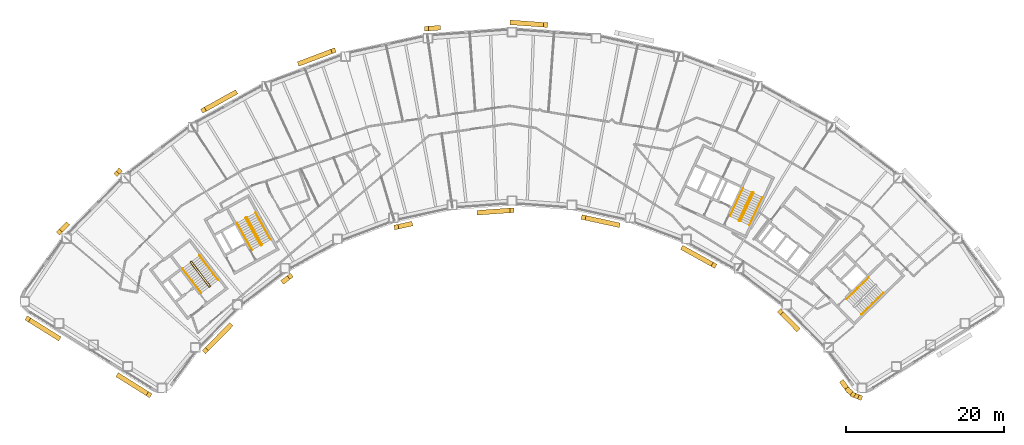
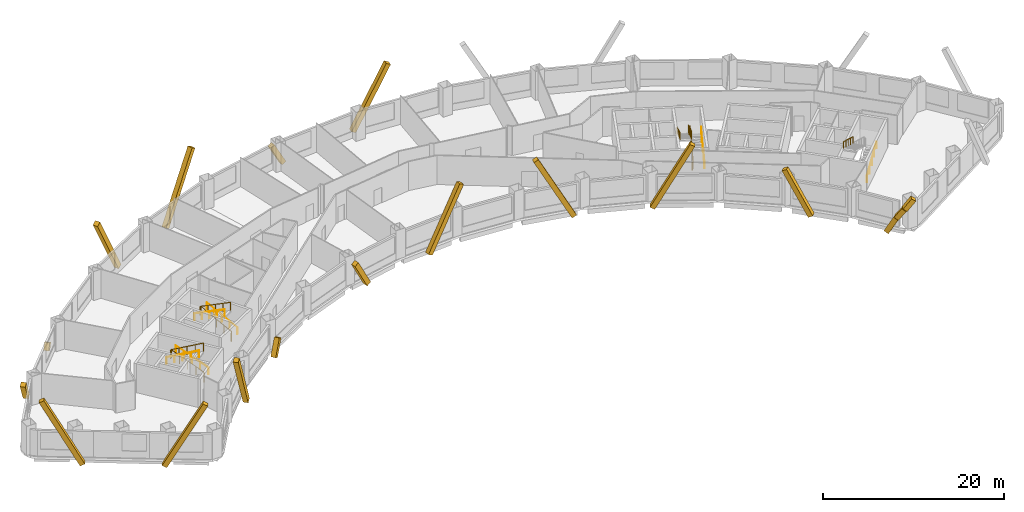
# One storey, part 11 of 12: 18 coverings, 11 railings.
"""IFC4 building model written with IfcOpenShell, lengths in metres."""

from ifc_helpers import new_model, si_unit, direction, frame, origin, origin_2d, place, context, subcontext, project, spatial, rectangle, circle, extrude, material, material_profile, profile_set, type_object, element, save


model = new_model("IFC4")

# Units and contexts
model_context = context("Model", 3, precision=1e-05, world=origin(), true_north=direction((0.0, 1.0)))
body_context = subcontext(model_context, "Body", "Model", "MODEL_VIEW")
ifc_project = project(units=[si_unit("LENGTHUNIT", "METRE"), si_unit("AREAUNIT", "SQUARE_METRE"), si_unit("VOLUMEUNIT", "CUBIC_METRE"), si_unit("PLANEANGLEUNIT", "RADIAN"), si_unit("MASSUNIT", "GRAM", prefix="KILO")], contexts=[model_context])

# Site, building, storey
site_placement = place(None, origin())
site = spatial("IfcSite", under=ifc_project, at=site_placement, CompositionType="ELEMENT")
building_placement = place(site_placement, origin())
building = spatial("IfcBuilding", under=site, at=building_placement, Name="Tuul Gate Civic Tower", CompositionType="ELEMENT")
storey_placement = place(building_placement, frame((0.0, 0.0, 73.800048828125)))
storey = spatial("IfcBuildingStorey", under=building, at=storey_placement, Name="Level 16", CompositionType="ELEMENT", Elevation=73.800048828125)

# Railings
ifc_material_1 = material(Name="Painted steel", Category="steel")
railing_type_1 = type_object("IfcRailingType", Name="Stair guard", PredefinedType="GUARDRAIL", material=ifc_material_1)
railing_1_placement = place(storey_placement, frame((-33.382080078125, -13.515380859375, 0.0)))
element("IfcRailing", 1, at=railing_1_placement, inside=storey, type_object=railing_type_1, Name="Level 16 ST-1 stair guard 1", PredefinedType="GUARDRAIL", context=body_context, shape_type="SweptSolid", body=[
    extrude(circle(Radius=0.02392578125, at=origin_2d()), frame((0.0, 0.0, 1.076171875), z_axis=(-0.795879841968, -0.605454603706, 0.0), x_axis=(0.605454603706, -0.795879841968, 0.0)), (0.0, 0.0, 1.0), 0.10009765625),
    extrude(circle(Radius=0.02392578125, at=origin_2d()), frame((-0.07958984375, -0.060546875, 1.076171875), z_axis=(0.408991890351, 0.599481263939, 0.688002796371), x_axis=(-0.826063974707, 0.563576356576, 0.0)), (0.0, 0.0, 1.0), 0.2177734375),
    extrude(circle(Radius=0.02392578125, at=origin_2d()), frame((0.009521484375, 0.070068359375, 1.22607421875), z_axis=(-0.541824460341, 0.711645023348, 0.447199748346), x_axis=(-0.795637165283, -0.60577347352, 0.0)), (0.0, 0.0, 1.0), 4.3603515625),
    extrude(circle(Radius=0.02392578125, at=origin_2d()), frame((-2.35302734375, 3.173095703125, 3.17578125), z_axis=(-0.990893089246, 0.134650977284, 0.0), x_axis=(-0.134650977284, -0.990893089246, 0.0)), (0.0, 0.0, 1.0), 0.07080078125),
    extrude(circle(Radius=0.02392578125, at=origin_2d()), frame((-2.423095703125, 3.1826171875, 3.17578125), z_axis=(-0.793802879778, -0.60817512943, 0.0), x_axis=(0.60817512943, -0.793802879778, 0.0)), (0.0, 0.0, 1.0), 0.099853515625),
    extrude(circle(Radius=0.02392578125, at=origin_2d()), frame((-2.50244140625, 3.121826171875, 3.17578125), z_axis=(-0.057370624079, -0.422188951554, 0.904690610473), x_axis=(0.990893089246, -0.134650977284, 0.0)), (0.0, 0.0, 1.0), 0.166015625),
    extrude(circle(Radius=0.02392578125, at=origin_2d()), frame((-2.511962890625, 3.0517578125, 3.326171875), z_axis=(0.541806494602, -0.71163897684, 0.447231136047), x_axis=(0.795644365679, 0.605764016233, 0.0)), (0.0, 0.0, 1.0), 4.360107421875),
    extrude(circle(Radius=0.02099609375, at=origin_2d()), origin(), (0.0, 0.0, 1.0), 1.052001953125),
    extrude(circle(Radius=0.02099609375, at=origin_2d()), frame((-0.07958984375, -0.060546875, 0.0)), (0.0, 0.0, 1.0), 1.052001953125),
    extrude(circle(Radius=0.02099609375, at=origin_2d()), frame((0.009521484375, 0.070068359375, 0.14990234375)), (0.0, 0.0, 1.0), 1.052001953125),
    extrude(circle(Radius=0.02099609375, at=origin_2d()), frame((-0.5810546875, 0.845703125, 0.637451171875)), (0.0, 0.0, 1.0), 1.052001953125),
    extrude(circle(Radius=0.02099609375, at=origin_2d()), frame((-1.171875, 1.62158203125, 1.125)), (0.0, 0.0, 1.0), 1.052001953125),
    extrude(circle(Radius=0.02099609375, at=origin_2d()), frame((-1.762451171875, 2.3974609375, 1.6123046875)), (0.0, 0.0, 1.0), 1.052001953125),
    extrude(circle(Radius=0.02099609375, at=origin_2d()), frame((-2.35302734375, 3.173095703125, 2.099853515625)), (0.0, 0.0, 1.0), 1.052001953125),
    extrude(circle(Radius=0.02099609375, at=origin_2d()), frame((-2.423095703125, 3.1826171875, 2.099853515625)), (0.0, 0.0, 1.0), 1.052001953125),
    extrude(circle(Radius=0.02099609375, at=origin_2d()), frame((-2.50244140625, 3.121826171875, 2.099853515625)), (0.0, 0.0, 1.0), 1.052001953125),
    extrude(circle(Radius=0.02099609375, at=origin_2d()), frame((-2.511962890625, 3.0517578125, 2.25)), (0.0, 0.0, 1.0), 1.052001953125),
    extrude(circle(Radius=0.02099609375, at=origin_2d()), frame((-1.92138671875, 2.276123046875, 2.737548828125)), (0.0, 0.0, 1.0), 1.052001953125),
    extrude(circle(Radius=0.02099609375, at=origin_2d()), frame((-1.330810546875, 1.50048828125, 3.22509765625)), (0.0, 0.0, 1.0), 1.052001953125),
    extrude(circle(Radius=0.02099609375, at=origin_2d()), frame((-0.740234375, 0.724609375, 3.71240234375)), (0.0, 0.0, 1.0), 1.052001953125),
    extrude(circle(Radius=0.02099609375, at=origin_2d()), frame((-0.149658203125, -0.051025390625, 4.199951171875)), (0.0, 0.0, 1.0), 1.052001953125),
])
railing_2_placement = place(storey_placement, frame((-26.857666015625, -8.247314453125, 0.0)))
element("IfcRailing", 2, at=railing_2_placement, inside=storey, type_object=railing_type_1, Name="Level 16 ST-2 stair guard 1", PredefinedType="GUARDRAIL", context=body_context, shape_type="SweptSolid", body=[
    extrude(circle(Radius=0.02392578125, at=origin_2d()), frame((0.0, 0.0, 1.076171875), z_axis=(-0.874616555828, -0.48481530532, 0.0), x_axis=(0.48481530532, -0.874616555828, 0.0)), (0.0, 0.0, 1.0), 0.10009765625),
    extrude(circle(Radius=0.02392578125, at=origin_2d()), frame((-0.087646484375, -0.048583984375, 1.076171875), z_axis=(0.49081399482, 0.534516610797, 0.688036056665), x_axis=(-0.736576986774, 0.676353711126, 0.0)), (0.0, 0.0, 1.0), 0.2177734375),
    extrude(circle(Radius=0.02392578125, at=origin_2d()), frame((0.019287109375, 0.06787109375, 1.22607421875), z_axis=(-0.43354991378, 0.782327185242, 0.447212083348), x_axis=(-0.874667644053, -0.484723129681, 0.0)), (0.0, 0.0, 1.0), 4.3603515625),
    extrude(circle(Radius=0.02392578125, at=origin_2d()), frame((-1.87109375, 3.47900390625, 3.17578125), z_axis=(-0.961263487578, 0.275631107549, 0.0), x_axis=(-0.275631107549, -0.961263487578, 0.0)), (0.0, 0.0, 1.0), 0.07080078125),
    extrude(circle(Radius=0.02392578125, at=origin_2d()), frame((-1.939208984375, 3.49853515625, 3.17578125), z_axis=(-0.874042088414, -0.485850211157, 0.0), x_axis=(0.485850211157, -0.874042088414, 0.0)), (0.0, 0.0, 1.0), 0.10009765625),
    extrude(circle(Radius=0.02392578125, at=origin_2d()), frame((-2.026611328125, 3.449951171875, 3.17578125), z_axis=(-0.117709570447, -0.409040757305, 0.904892322815), x_axis=(0.961000426733, -0.276546885391, 0.0)), (0.0, 0.0, 1.0), 0.166015625),
    extrude(circle(Radius=0.02392578125, at=origin_2d()), frame((-2.046142578125, 3.382080078125, 3.326171875), z_axis=(0.433595379963, -0.782308193291, 0.447201226726), x_axis=(0.874641102302, 0.484771020343, 0.0)), (0.0, 0.0, 1.0), 4.3603515625),
    extrude(circle(Radius=0.02099609375, at=origin_2d()), origin(), (0.0, 0.0, 1.0), 1.052001953125),
    extrude(circle(Radius=0.02099609375, at=origin_2d()), frame((-0.087646484375, -0.048583984375, 0.0)), (0.0, 0.0, 1.0), 1.052001953125),
    extrude(circle(Radius=0.02099609375, at=origin_2d()), frame((0.019287109375, 0.06787109375, 0.14990234375)), (0.0, 0.0, 1.0), 1.052001953125),
    extrude(circle(Radius=0.02099609375, at=origin_2d()), frame((-0.453369140625, 0.920654296875, 0.637451171875)), (0.0, 0.0, 1.0), 1.052001953125),
    extrude(circle(Radius=0.02099609375, at=origin_2d()), frame((-0.92578125, 1.7734375, 1.125)), (0.0, 0.0, 1.0), 1.052001953125),
    extrude(circle(Radius=0.02099609375, at=origin_2d()), frame((-1.3984375, 2.626220703125, 1.6123046875)), (0.0, 0.0, 1.0), 1.052001953125),
    extrude(circle(Radius=0.02099609375, at=origin_2d()), frame((-1.87109375, 3.47900390625, 2.099853515625)), (0.0, 0.0, 1.0), 1.052001953125),
    extrude(circle(Radius=0.02099609375, at=origin_2d()), frame((-1.939208984375, 3.49853515625, 2.099853515625)), (0.0, 0.0, 1.0), 1.052001953125),
    extrude(circle(Radius=0.02099609375, at=origin_2d()), frame((-2.026611328125, 3.449951171875, 2.099853515625)), (0.0, 0.0, 1.0), 1.052001953125),
    extrude(circle(Radius=0.02099609375, at=origin_2d()), frame((-2.046142578125, 3.382080078125, 2.25)), (0.0, 0.0, 1.0), 1.052001953125),
    extrude(circle(Radius=0.02099609375, at=origin_2d()), frame((-1.573486328125, 2.529296875, 2.737548828125)), (0.0, 0.0, 1.0), 1.052001953125),
    extrude(circle(Radius=0.02099609375, at=origin_2d()), frame((-1.100830078125, 1.676513671875, 3.22509765625)), (0.0, 0.0, 1.0), 1.052001953125),
    extrude(circle(Radius=0.02099609375, at=origin_2d()), frame((-0.628173828125, 0.82373046875, 3.71240234375)), (0.0, 0.0, 1.0), 1.052001953125),
    extrude(circle(Radius=0.02099609375, at=origin_2d()), frame((-0.155517578125, -0.029052734375, 4.199951171875)), (0.0, 0.0, 1.0), 1.052001953125),
])
railing_3_placement = place(storey_placement, frame((33.645751953125, -5.238525390625, 0.0)))
element("IfcRailing", 3, at=railing_3_placement, inside=storey, type_object=railing_type_1, Name="Level 16 ST-4 stair guard 1", PredefinedType="GUARDRAIL", context=body_context, shape_type="SweptSolid", body=[
    extrude(circle(Radius=0.02392578125, at=origin_2d()), frame((0.0, 0.0, 1.076171875), z_axis=(-0.906307919131, 0.422617978463, 0.0), x_axis=(-0.422617978463, -0.906307919131, 0.0)), (0.0, 0.0, 1.0), 0.099853515625),
    extrude(circle(Radius=0.02392578125, at=origin_2d()), frame((-0.090576171875, 0.042236328125, 1.076171875), z_axis=(0.720735628292, -0.082946246491, 0.688229666829), x_axis=(0.114330889033, 0.993442724979, 0.0)), (0.0, 0.0, 1.0), 0.2177734375),
    extrude(circle(Radius=0.02392578125, at=origin_2d()), frame((0.06640625, 0.024169921875, 1.22607421875), z_axis=(0.377946903738, 0.810654114417, 0.447209173356), x_axis=(-0.906336612539, 0.422556439746, 0.0)), (0.0, 0.0, 1.0), 4.3603515625),
    extrude(circle(Radius=0.02392578125, at=origin_2d()), frame((1.71435546875, 3.558837890625, 3.17578125), z_axis=(-0.342020437038, 0.939692513883, 0.0), x_axis=(-0.939692513883, -0.342020437038, 0.0)), (0.0, 0.0, 1.0), 0.070556640625),
    extrude(circle(Radius=0.02392578125, at=origin_2d()), frame((1.690185546875, 3.625244140625, 3.17578125), z_axis=(-0.906307919131, 0.422617978463, 0.0), x_axis=(-0.422617978463, -0.906307919131, 0.0)), (0.0, 0.0, 1.0), 0.099853515625),
    extrude(circle(Radius=0.02392578125, at=origin_2d()), frame((1.599609375, 3.66748046875, 3.17578125), z_axis=(-0.400168791901, -0.145649670582, 0.904793408159), x_axis=(0.342020437038, -0.939692513883, 0.0)), (0.0, 0.0, 1.0), 0.166015625),
    extrude(circle(Radius=0.02392578125, at=origin_2d()), frame((1.533203125, 3.643310546875, 3.326171875), z_axis=(-0.377946903738, -0.810654114417, 0.447209173356), x_axis=(0.906336612539, -0.422556439746, 0.0)), (0.0, 0.0, 1.0), 4.3603515625),
    extrude(circle(Radius=0.02099609375, at=origin_2d()), origin(), (0.0, 0.0, 1.0), 1.052001953125),
    extrude(circle(Radius=0.02099609375, at=origin_2d()), frame((-0.090576171875, 0.042236328125, 0.0)), (0.0, 0.0, 1.0), 1.052001953125),
    extrude(circle(Radius=0.02099609375, at=origin_2d()), frame((0.06640625, 0.024169921875, 0.14990234375)), (0.0, 0.0, 1.0), 1.052001953125),
    extrude(circle(Radius=0.02099609375, at=origin_2d()), frame((0.478515625, 0.90771484375, 0.637451171875)), (0.0, 0.0, 1.0), 1.052001953125),
    extrude(circle(Radius=0.02099609375, at=origin_2d()), frame((0.890380859375, 1.79150390625, 1.125)), (0.0, 0.0, 1.0), 1.052001953125),
    extrude(circle(Radius=0.02099609375, at=origin_2d()), frame((1.30224609375, 2.67529296875, 1.6123046875)), (0.0, 0.0, 1.0), 1.052001953125),
    extrude(circle(Radius=0.02099609375, at=origin_2d()), frame((1.71435546875, 3.558837890625, 2.099853515625)), (0.0, 0.0, 1.0), 1.052001953125),
    extrude(circle(Radius=0.02099609375, at=origin_2d()), frame((1.690185546875, 3.625244140625, 2.099853515625)), (0.0, 0.0, 1.0), 1.052001953125),
    extrude(circle(Radius=0.02099609375, at=origin_2d()), frame((1.599609375, 3.66748046875, 2.099853515625)), (0.0, 0.0, 1.0), 1.052001953125),
    extrude(circle(Radius=0.02099609375, at=origin_2d()), frame((1.533203125, 3.643310546875, 2.25)), (0.0, 0.0, 1.0), 1.052001953125),
    extrude(circle(Radius=0.02099609375, at=origin_2d()), frame((1.12109375, 2.759765625, 2.737548828125)), (0.0, 0.0, 1.0), 1.052001953125),
    extrude(circle(Radius=0.02099609375, at=origin_2d()), frame((0.709228515625, 1.8759765625, 3.22509765625)), (0.0, 0.0, 1.0), 1.052001953125),
    extrude(circle(Radius=0.02099609375, at=origin_2d()), frame((0.29736328125, 0.9921875, 3.71240234375)), (0.0, 0.0, 1.0), 1.052001953125),
    extrude(circle(Radius=0.02099609375, at=origin_2d()), frame((-0.11474609375, 0.108642578125, 4.199951171875)), (0.0, 0.0, 1.0), 1.052001953125),
])
ifc_material_2 = material(Name="Painted steel", Category="steel")
railing_type_2 = type_object("IfcRailingType", Name="Stair handrail", PredefinedType="HANDRAIL", material=ifc_material_2)
railing_4_placement = place(storey_placement, frame((-32.3779296875, -12.688232421875, 0.14990234375)))
element("IfcRailing", 4, at=railing_4_placement, inside=storey, type_object=railing_type_2, Name="Level 16 ST-1 stair handrail 1", PredefinedType="HANDRAIL", context=body_context, shape_type="SweptSolid", body=[
    extrude(circle(Radius=0.02392578125, at=origin_2d()), frame((0.0, 0.0, 0.8759765625), z_axis=(-0.541824460341, 0.711645023348, 0.447199748346), x_axis=(-0.795637165283, -0.60577347352, 0.0)), (0.0, 0.0, 1.0), 4.3603515625),
    extrude(circle(Radius=0.02099609375, at=origin_2d()), origin(), (0.0, 0.0, 1.0), 0.851806640625),
    extrude(circle(Radius=0.02099609375, at=origin_2d()), frame((-0.590576171875, 0.77587890625, 0.487548828125)), (0.0, 0.0, 1.0), 0.851806640625),
    extrude(circle(Radius=0.02099609375, at=origin_2d()), frame((-1.18115234375, 1.551513671875, 0.97509765625)), (0.0, 0.0, 1.0), 0.851806640625),
    extrude(circle(Radius=0.02099609375, at=origin_2d()), frame((-1.77197265625, 2.3271484375, 1.46240234375)), (0.0, 0.0, 1.0), 0.851806640625),
    extrude(circle(Radius=0.02099609375, at=origin_2d()), frame((-2.362548828125, 3.10302734375, 1.949951171875)), (0.0, 0.0, 1.0), 0.851806640625),
])
railing_5_placement = place(storey_placement, frame((-36.888671875, -11.220703125, 2.25)))
element("IfcRailing", 5, at=railing_5_placement, inside=storey, type_object=railing_type_2, Name="Level 16 ST-1 stair handrail 2", PredefinedType="HANDRAIL", context=body_context, shape_type="SweptSolid", body=[
    extrude(circle(Radius=0.02392578125, at=origin_2d()), frame((0.0, 0.0, 0.8759765625), z_axis=(0.541824460341, -0.711645023348, 0.447199748346), x_axis=(0.795637165283, 0.60577347352, 0.0)), (0.0, 0.0, 1.0), 4.3603515625),
    extrude(circle(Radius=0.02099609375, at=origin_2d()), origin(), (0.0, 0.0, 1.0), 0.851806640625),
    extrude(circle(Radius=0.02099609375, at=origin_2d()), frame((0.590576171875, -0.77587890625, 0.487548828125)), (0.0, 0.0, 1.0), 0.851806640625),
    extrude(circle(Radius=0.02099609375, at=origin_2d()), frame((1.18115234375, -1.551513671875, 0.97509765625)), (0.0, 0.0, 1.0), 0.851806640625),
    extrude(circle(Radius=0.02099609375, at=origin_2d()), frame((1.77197265625, -2.3271484375, 1.46240234375)), (0.0, 0.0, 1.0), 0.851806640625),
    extrude(circle(Radius=0.02099609375, at=origin_2d()), frame((2.362548828125, -3.10302734375, 1.949951171875)), (0.0, 0.0, 1.0), 0.851806640625),
])
railing_6_placement = place(storey_placement, frame((-25.744873046875, -7.573486328125, 0.14990234375)))
element("IfcRailing", 6, at=railing_6_placement, inside=storey, type_object=railing_type_2, Name="Level 16 ST-2 stair handrail 1", PredefinedType="HANDRAIL", context=body_context, shape_type="SweptSolid", body=[
    extrude(circle(Radius=0.02392578125, at=origin_2d()), frame((0.0, 0.0, 0.8759765625), z_axis=(-0.433595379963, 0.782308193291, 0.447201226726), x_axis=(-0.874641102302, -0.484771020343, 0.0)), (0.0, 0.0, 1.0), 4.3603515625),
    extrude(circle(Radius=0.02099609375, at=origin_2d()), origin(), (0.0, 0.0, 1.0), 0.851806640625),
    extrude(circle(Radius=0.02099609375, at=origin_2d()), frame((-0.47265625, 0.852783203125, 0.487548828125)), (0.0, 0.0, 1.0), 0.851806640625),
    extrude(circle(Radius=0.02099609375, at=origin_2d()), frame((-0.9453125, 1.70556640625, 0.97509765625)), (0.0, 0.0, 1.0), 0.851806640625),
    extrude(circle(Radius=0.02099609375, at=origin_2d()), frame((-1.41796875, 2.558349609375, 1.46240234375)), (0.0, 0.0, 1.0), 0.851806640625),
    extrude(circle(Radius=0.02099609375, at=origin_2d()), frame((-1.890625, 3.4111328125, 1.949951171875)), (0.0, 0.0, 1.0), 0.851806640625),
])
railing_7_placement = place(storey_placement, frame((-29.9970703125, -5.47119140625, 2.25)))
element("IfcRailing", 7, at=railing_7_placement, inside=storey, type_object=railing_type_2, Name="Level 16 ST-2 stair handrail 2", PredefinedType="HANDRAIL", context=body_context, shape_type="SweptSolid", body=[
    extrude(circle(Radius=0.02392578125, at=origin_2d()), frame((0.0, 0.0, 0.8759765625), z_axis=(0.433595379963, -0.782308193291, 0.447201226726), x_axis=(0.874641102302, 0.484771020343, 0.0)), (0.0, 0.0, 1.0), 4.3603515625),
    extrude(circle(Radius=0.02099609375, at=origin_2d()), origin(), (0.0, 0.0, 1.0), 0.851806640625),
    extrude(circle(Radius=0.02099609375, at=origin_2d()), frame((0.47265625, -0.852783203125, 0.487548828125)), (0.0, 0.0, 1.0), 0.851806640625),
    extrude(circle(Radius=0.02099609375, at=origin_2d()), frame((0.9453125, -1.70556640625, 0.97509765625)), (0.0, 0.0, 1.0), 0.851806640625),
    extrude(circle(Radius=0.02099609375, at=origin_2d()), frame((1.41796875, -2.558349609375, 1.46240234375)), (0.0, 0.0, 1.0), 0.851806640625),
    extrude(circle(Radius=0.02099609375, at=origin_2d()), frame((1.890625, -3.4111328125, 1.949951171875)), (0.0, 0.0, 1.0), 0.851806640625),
])
railing_8_placement = place(storey_placement, frame((49.05126953125, -17.028076171875, 0.14990234375)))
element("IfcRailing", 8, at=railing_8_placement, inside=storey, type_object=railing_type_2, Name="Level 16 ST-3 stair handrail 1", PredefinedType="HANDRAIL", context=body_context, shape_type="SweptSolid", body=[
    extrude(circle(Radius=0.02392578125, at=origin_2d()), frame((0.0, 0.0, 0.8759765625), z_axis=(0.638753653487, 0.626099522554, 0.447205945863), x_axis=(-0.699997553204, 0.714145241186, 0.0)), (0.0, 0.0, 1.0), 4.3603515625),
    extrude(circle(Radius=0.02099609375, at=origin_2d()), origin(), (0.0, 0.0, 1.0), 0.851806640625),
    extrude(circle(Radius=0.02099609375, at=origin_2d()), frame((0.6962890625, 0.6826171875, 0.487548828125)), (0.0, 0.0, 1.0), 0.851806640625),
    extrude(circle(Radius=0.02099609375, at=origin_2d()), frame((1.392578125, 1.364990234375, 0.97509765625)), (0.0, 0.0, 1.0), 0.851806640625),
    extrude(circle(Radius=0.02099609375, at=origin_2d()), frame((2.0888671875, 2.04736328125, 1.46240234375)), (0.0, 0.0, 1.0), 0.851806640625),
    extrude(circle(Radius=0.02099609375, at=origin_2d()), frame((2.78515625, 2.72998046875, 1.949951171875)), (0.0, 0.0, 1.0), 0.851806640625),
])
railing_9_placement = place(storey_placement, frame((49.9462890625, -12.369873046875, 2.25)))
element("IfcRailing", 9, at=railing_9_placement, inside=storey, type_object=railing_type_2, Name="Level 16 ST-3 stair handrail 2", PredefinedType="HANDRAIL", context=body_context, shape_type="SweptSolid", body=[
    extrude(circle(Radius=0.02392578125, at=origin_2d()), frame((0.0, 0.0, 0.8759765625), z_axis=(-0.638753653487, -0.626099522554, 0.447205945863), x_axis=(0.699997553204, -0.714145241186, 0.0)), (0.0, 0.0, 1.0), 4.3603515625),
    extrude(circle(Radius=0.02099609375, at=origin_2d()), origin(), (0.0, 0.0, 1.0), 0.851806640625),
    extrude(circle(Radius=0.02099609375, at=origin_2d()), frame((-0.6962890625, -0.6826171875, 0.487548828125)), (0.0, 0.0, 1.0), 0.851806640625),
    extrude(circle(Radius=0.02099609375, at=origin_2d()), frame((-1.392578125, -1.364990234375, 0.97509765625)), (0.0, 0.0, 1.0), 0.851806640625),
    extrude(circle(Radius=0.02099609375, at=origin_2d()), frame((-2.0888671875, -2.04736328125, 1.46240234375)), (0.0, 0.0, 1.0), 0.851806640625),
    extrude(circle(Radius=0.02099609375, at=origin_2d()), frame((-2.78515625, -2.72998046875, 1.949951171875)), (0.0, 0.0, 1.0), 0.851806640625),
])
railing_10_placement = place(storey_placement, frame((34.844970703125, -5.74267578125, 0.14990234375)))
element("IfcRailing", 10, at=railing_10_placement, inside=storey, type_object=railing_type_2, Name="Level 16 ST-4 stair handrail 1", PredefinedType="HANDRAIL", context=body_context, shape_type="SweptSolid", body=[
    extrude(circle(Radius=0.02392578125, at=origin_2d()), frame((0.0, 0.0, 0.8759765625), z_axis=(0.377994896215, 0.810636958585, 0.447199709091), x_axis=(-0.906312636903, 0.422607861012, 0.0)), (0.0, 0.0, 1.0), 4.3603515625),
    extrude(circle(Radius=0.02099609375, at=origin_2d()), origin(), (0.0, 0.0, 1.0), 0.851806640625),
    extrude(circle(Radius=0.02099609375, at=origin_2d()), frame((0.412109375, 0.8837890625, 0.487548828125)), (0.0, 0.0, 1.0), 0.851806640625),
    extrude(circle(Radius=0.02099609375, at=origin_2d()), frame((0.82421875, 1.767333984375, 0.97509765625)), (0.0, 0.0, 1.0), 0.851806640625),
    extrude(circle(Radius=0.02099609375, at=origin_2d()), frame((1.236083984375, 2.65087890625, 1.46240234375)), (0.0, 0.0, 1.0), 0.851806640625),
    extrude(circle(Radius=0.02099609375, at=origin_2d()), frame((1.648193359375, 3.53466796875, 1.949951171875)), (0.0, 0.0, 1.0), 0.851806640625),
])
railing_11_placement = place(storey_placement, frame((34.046142578125, -1.06689453125, 2.25)))
element("IfcRailing", 11, at=railing_11_placement, inside=storey, type_object=railing_type_2, Name="Level 16 ST-4 stair handrail 2", PredefinedType="HANDRAIL", context=body_context, shape_type="SweptSolid", body=[
    extrude(circle(Radius=0.02392578125, at=origin_2d()), frame((0.0, 0.0, 0.8759765625), z_axis=(-0.377994896215, -0.810636958585, 0.447199709091), x_axis=(0.906312636903, -0.422607861012, 0.0)), (0.0, 0.0, 1.0), 4.3603515625),
    extrude(circle(Radius=0.02099609375, at=origin_2d()), origin(), (0.0, 0.0, 1.0), 0.851806640625),
    extrude(circle(Radius=0.02099609375, at=origin_2d()), frame((-0.412109375, -0.8837890625, 0.487548828125)), (0.0, 0.0, 1.0), 0.851806640625),
    extrude(circle(Radius=0.02099609375, at=origin_2d()), frame((-0.82421875, -1.767333984375, 0.97509765625)), (0.0, 0.0, 1.0), 0.851806640625),
    extrude(circle(Radius=0.02099609375, at=origin_2d()), frame((-1.236083984375, -2.65087890625, 1.46240234375)), (0.0, 0.0, 1.0), 0.851806640625),
    extrude(circle(Radius=0.02099609375, at=origin_2d()), frame((-1.648193359375, -3.53466796875, 1.949951171875)), (0.0, 0.0, 1.0), 0.851806640625),
])

# Coverings
ifc_material_3 = material(Name="Terracotta baguette", Category="masonry")
ifc_material_profile = material_profile(ifc_material_3, rectangle(XDim=0.60009765625, YDim=0.60009765625, at=origin_2d()), Name="Terracotta baguette screen frame")
ifc_profile_set = profile_set([ifc_material_profile], Name="Terracotta baguette")
covering_type = type_object("IfcCoveringType", Name="Terracotta baguette screen frame", PredefinedType="CLADDING", material=ifc_profile_set)
covering_1_placement = place(storey_placement, frame((9.064453125, 19.601806640625, 8.050048828125), z_axis=(-0.473916402308, 0.034305523673, -0.879901343714), x_axis=(-0.072198379496, -0.99739029171, 0.0)))
element("IfcCovering", 12, at=covering_1_placement, inside=storey, type_object=covering_type, Name="Baguette 69", PredefinedType="CLADDING", context=body_context, shape_type="SweptSolid", body=[
    extrude(rectangle(XDim=0.60009765625, YDim=0.60009765625, at=origin_2d()), origin(), (0.0, 0.0, 1.0), 8.981201171875),
])
covering_2_placement = place(storey_placement, frame((-4.508544921875, 19.235107421875, -0.35009765625), z_axis=(-0.473945050115, -0.034270345712, 0.879887284188), x_axis=(0.072120393401, -0.997395933848, 0.0)))
element("IfcCovering", 13, at=covering_2_placement, inside=storey, type_object=covering_type, Name="Baguette 81", PredefinedType="CLADDING", context=body_context, shape_type="SweptSolid", body=[
    extrude(rectangle(XDim=0.60009765625, YDim=0.60009765625, at=origin_2d()), origin(), (0.0, 0.0, 1.0), 3.17724609375),
])
for number, where, z_axis, x_axis, name in (
    (14, (-17.7783203125, 16.349365234375, 8.050048828125), (-0.444439006593, -0.168067964286, -0.879901772245), (0.353711403676, -0.935354608108, 0.0), "Baguette 93"),
    (15, (-30.263916015625, 11.0107421875, -0.35009765625), (-0.415589804816, -0.230363236834, 0.879896524171), (0.484806475071, -0.874621450531, 0.0), "Baguette 102"),
):
    element("IfcCovering", number, at=place(storey_placement, frame(where, z_axis=z_axis, x_axis=x_axis)), inside=storey, type_object=covering_type, Name=name, PredefinedType="CLADDING", context=body_context, shape_type="SweptSolid", body=[
        extrude(rectangle(XDim=0.60009765625, YDim=0.60009765625, at=origin_2d()), origin(), (0.0, 0.0, 1.0), 9.546630859375),
    ])
covering_3_placement = place(storey_placement, frame((-44.885498046875, 1.117919921875, 0.4775390625), z_axis=(-0.332717894742, -0.339465683559, -0.879807849592), x_axis=(0.714169166593, -0.699973143404, 0.0)))
element("IfcCovering", 16, at=covering_3_placement, inside=storey, type_object=covering_type, Name="Baguette 112", PredefinedType="CLADDING", context=body_context, shape_type="SweptSolid", body=[
    extrude(rectangle(XDim=0.60009765625, YDim=0.60009765625, at=origin_2d()), origin(), (0.0, 0.0, 1.0), 0.940673828125),
])
covering_4_placement = place(storey_placement, frame((-51.549560546875, -5.679931640625, -0.35009765625), z_axis=(-0.332644596819, -0.339353248982, 0.879878937475), x_axis=(0.714130345586, -0.700012749537, 0.0)))
element("IfcCovering", 17, at=covering_4_placement, inside=storey, type_object=covering_type, Name="Baguette 123", PredefinedType="CLADDING", context=body_context, shape_type="SweptSolid", body=[
    extrude(rectangle(XDim=0.60009765625, YDim=0.60009765625, at=origin_2d()), origin(), (0.0, 0.0, 1.0), 2.80224609375),
])
for number, where, z_axis, x_axis, name in (
    (18, (-56.47607421875, -17.604248046875, 8.050048828125), (0.402305409232, -0.251376917178, -0.880318126141), (0.529901976461, 0.848058898511, 0.0), "Baguette 147"),
    (19, (-44.9599609375, -24.80029296875, -0.35009765625), (0.402305409232, -0.251376917178, 0.880318126141), (0.529901976461, 0.848058898511, 0.0), "Baguette 154"),
):
    element("IfcCovering", number, at=place(storey_placement, frame(where, z_axis=z_axis, x_axis=x_axis)), inside=storey, type_object=covering_type, Name=name, PredefinedType="CLADDING", context=body_context, shape_type="SweptSolid", body=[
        extrude(rectangle(XDim=0.60009765625, YDim=0.60009765625, at=origin_2d()), origin(), (0.0, 0.0, 1.0), 9.542236328125),
    ])
covering_5_placement = place(storey_placement, frame((-33.998291015625, -21.631103515625, 8.050048828125), z_axis=(0.326348898323, 0.332854277402, -0.884705841836), x_axis=(-0.714050130155, 0.700094573344, 0.0)))
element("IfcCovering", 20, at=covering_5_placement, inside=storey, type_object=covering_type, Name="Baguette 178", PredefinedType="CLADDING", context=body_context, shape_type="SweptSolid", body=[
    extrude(rectangle(XDim=0.60009765625, YDim=0.60009765625, at=origin_2d()), origin(), (0.0, 0.0, 1.0), 9.494873046875),
])
covering_6_placement = place(storey_placement, frame((-24.09423828125, -12.83935546875, -0.35009765625), z_axis=(0.370809590506, 0.282480203725, 0.884706268822), x_axis=(-0.605987035724, 0.795474520356, 0.0)))
element("IfcCovering", 21, at=covering_6_placement, inside=storey, type_object=covering_type, Name="Baguette 188", PredefinedType="CLADDING", context=body_context, shape_type="SweptSolid", body=[
    extrude(rectangle(XDim=0.60009765625, YDim=0.60009765625, at=origin_2d()), origin(), (0.0, 0.0, 1.0), 2.2470703125),
])
covering_7_placement = place(storey_placement, frame((-9.83447265625, -5.984619140625, 3.10498046875), z_axis=(0.45518264051, 0.100276466883, -0.884733515793), x_axis=(-0.215140673353, 0.976583069006, 0.0)))
element("IfcCovering", 22, at=covering_7_placement, inside=storey, type_object=covering_type, Name="Baguette 201", PredefinedType="CLADDING", context=body_context, shape_type="SweptSolid", body=[
    extrude(rectangle(XDim=0.60009765625, YDim=0.60009765625, at=origin_2d()), origin(), (0.0, 0.0, 1.0), 3.9052734375),
])
covering_8_placement = place(storey_placement, frame((0.655517578125, -4.15283203125, -0.35009765625), z_axis=(0.46493127376, 0.03367601442, 0.884706073638), x_axis=(-0.072242980808, 0.99738706214, 0.0)))
element("IfcCovering", 23, at=covering_8_placement, inside=storey, type_object=covering_type, Name="Baguette 214", PredefinedType="CLADDING", context=body_context, shape_type="SweptSolid", body=[
    extrude(rectangle(XDim=0.60009765625, YDim=0.60009765625, at=origin_2d()), origin(), (0.0, 0.0, 1.0), 8.931640625),
])
covering_9_placement = place(storey_placement, frame((13.86328125, -4.75341796875, 8.050048828125), z_axis=(0.455223833696, -0.100306607278, -0.88470890454), x_axis=(0.215183772558, 0.976573573279, 0.0)))
element("IfcCovering", 24, at=covering_9_placement, inside=storey, type_object=covering_type, Name="Baguette 226", PredefinedType="CLADDING", context=body_context, shape_type="SweptSolid", body=[
    extrude(rectangle(XDim=0.60009765625, YDim=0.60009765625, at=origin_2d()), origin(), (0.0, 0.0, 1.0), 9.494873046875),
])
covering_10_placement = place(storey_placement, frame((26.51025390625, -8.675537109375, -0.35009765625), z_axis=(0.407683352224, -0.225993628679, 0.884715301165), x_axis=(0.484827764604, 0.874609649312, 0.0)))
element("IfcCovering", 25, at=covering_10_placement, inside=storey, type_object=covering_type, Name="Baguette 237", PredefinedType="CLADDING", context=body_context, shape_type="SweptSolid", body=[
    extrude(rectangle(XDim=0.60009765625, YDim=0.60009765625, at=origin_2d()), origin(), (0.0, 0.0, 1.0), 9.49462890625),
])
covering_11_placement = place(storey_placement, frame((38.7783203125, -16.69873046875, 5.35595703125), z_axis=(0.326365350275, -0.332876002124, -0.884691599005), x_axis=(0.714055329058, 0.700089270768, 0.0)))
element("IfcCovering", 26, at=covering_11_placement, inside=storey, type_object=covering_type, Name="Baguette 247", PredefinedType="CLADDING", context=body_context, shape_type="SweptSolid", body=[
    extrude(rectangle(XDim=0.60009765625, YDim=0.60009765625, at=origin_2d()), origin(), (0.0, 0.0, 1.0), 6.44970703125),
])
covering_12_placement = place(storey_placement, frame((46.636962890625, -25.644287109375, -0.35009765625), z_axis=(0.278672749834, -0.381536515302, 0.881346348487), x_axis=(0.807534670748, 0.589820104388, 0.0)))
element("IfcCovering", 27, at=covering_12_placement, inside=storey, type_object=covering_type, Name="Baguette 264", PredefinedType="CLADDING", context=body_context, shape_type="SweptSolid", body=[
    extrude(rectangle(XDim=0.60009765625, YDim=0.60009765625, at=origin_2d()), origin(), (0.0, 0.0, 1.0), 2.43994140625),
])
covering_13_placement = place(storey_placement, frame((47.31689453125, -26.5751953125, 1.80029296875), z_axis=(0.418337865428, -0.391793978605, 0.819445488533), x_axis=(0.68357167815, 0.729883388516, 0.0)))
element("IfcCovering", 28, at=covering_13_placement, inside=storey, type_object=covering_type, Name="Baguette 265", PredefinedType="CLADDING", context=body_context, shape_type="SweptSolid", body=[
    extrude(rectangle(XDim=0.60009765625, YDim=0.60009765625, at=origin_2d()), origin(), (0.0, 0.0, 1.0), 1.57275390625),
])
covering_14_placement = place(storey_placement, frame((47.974853515625, -27.19140625, 3.089111328125), z_axis=(0.559804671267, -0.222984577402, 0.798058023121), x_axis=(0.370049373719, 0.929012088732, 0.0)))
element("IfcCovering", 29, at=covering_14_placement, inside=storey, type_object=covering_type, Name="Baguette 266", PredefinedType="CLADDING", context=body_context, shape_type="SweptSolid", body=[
    extrude(rectangle(XDim=0.60009765625, YDim=0.60009765625, at=origin_2d()), origin(), (0.0, 0.0, 1.0), 1.614990234375),
])

save(model, "model.ifc")
